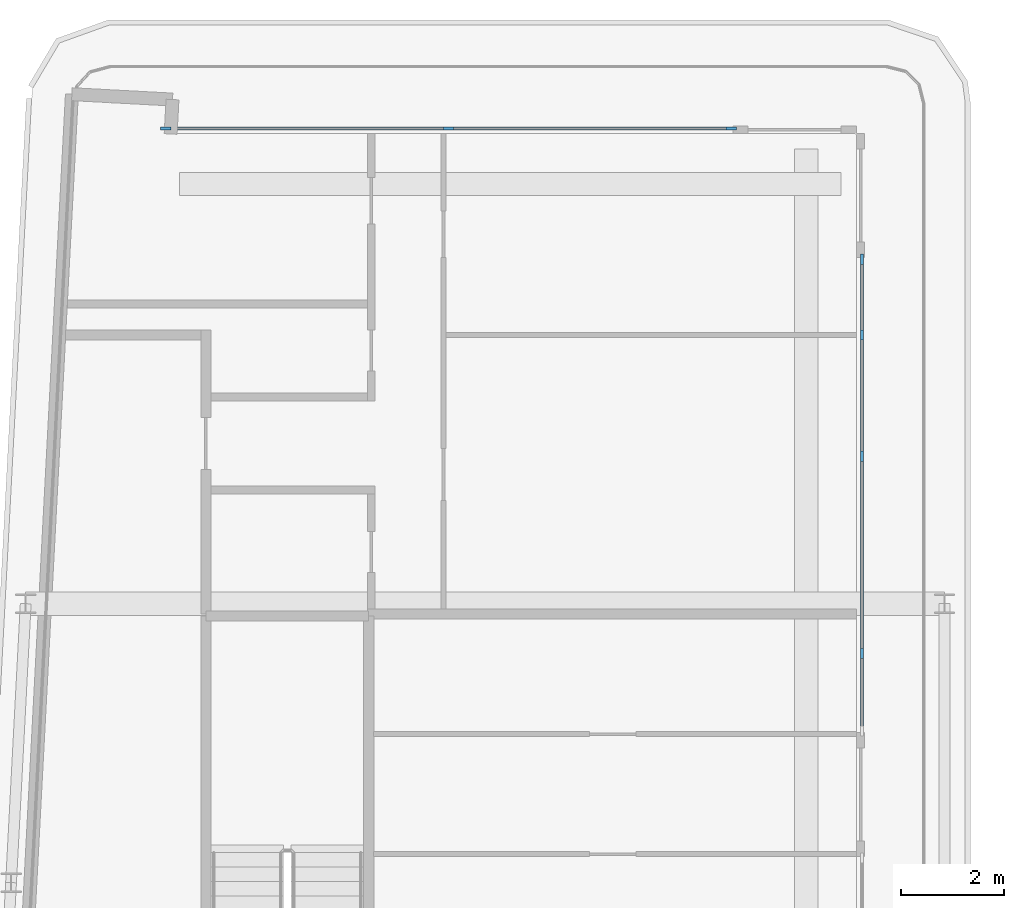
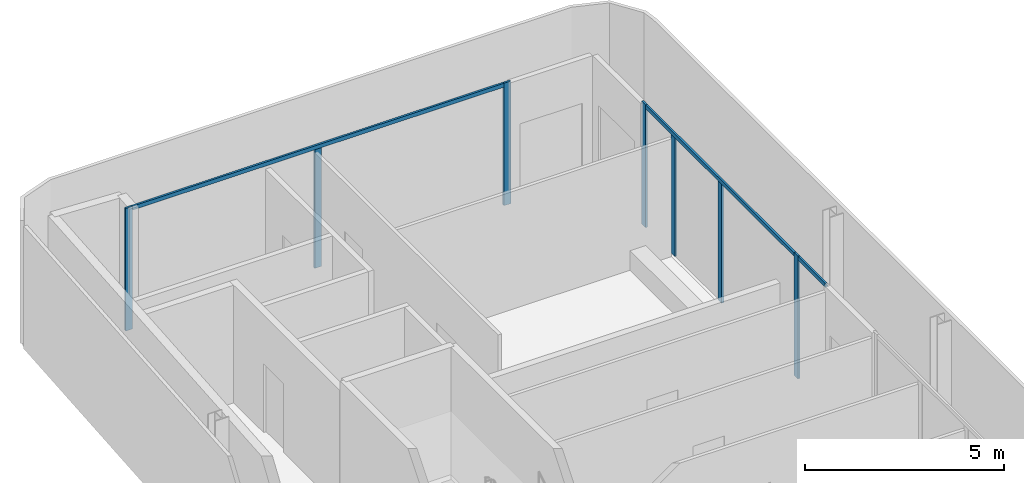
# One storey, part 8 of 22: 10 members, 3 elements without a shape of their own.
"""IFC4 building model written with IfcOpenShell, lengths in metres."""

import ifcopenshell
import ifcopenshell.guid

model = None  # the IFC model being written
_history = None  # IfcOwnerHistory: only IFC2X3 demands one
_inside = {}  # id of a spatial element -> (the spatial element, [elements in it])
_under = {}  # id of a project, library or spatial element -> (it, [spatial elements below it])
_declared = {}  # id of a project -> (the project, [libraries it declares])
_typed = {}  # id of a type object -> (the type object, [elements of that type])
_made_of = {}  # id of a material, layer set ... -> (it, [elements and type objects made of it])


def new_model(schema):
    """Start an empty IFC model of exactly this schema.

    Asked for "IFC4X3", IfcOpenShell would pick the latest addendum, in which some entities
    have other attributes; the version numbers below select the first issue.
    IFC2X3 requires an IfcOwnerHistory on every rooted entity: one is made here for all.
    """
    global model, _history
    if schema == "IFC4X3":
        model = ifcopenshell.file(schema_version=(4, 3, 0, 0))
    else:
        model = ifcopenshell.file(schema=schema)
    _inside.clear()
    _under.clear()
    _declared.clear()
    _typed.clear()
    _made_of.clear()
    _history = None
    if model.schema == "IFC2X3":
        org = make("IfcOrganization", Name="unknown")
        user = make(
            "IfcPersonAndOrganization",
            ThePerson=make("IfcPerson", FamilyName="unknown"),
            TheOrganization=org,
        )
        app = make(
            "IfcApplication",
            ApplicationDeveloper=org,
            Version="unknown",
            ApplicationFullName="unknown",
            ApplicationIdentifier="unknown",
        )
        _history = make(
            "IfcOwnerHistory",
            OwningUser=user,
            OwningApplication=app,
            ChangeAction="ADDED",
            CreationDate=0,
        )
    return model


def make(cls, **values):
    """One entity of the class cls with the attributes given. An attribute that is None is left unset."""
    return model.create_entity(
        cls, **{name: value for name, value in values.items() if value is not None}
    )


def rooted(cls, **values):
    """An entity with a GlobalId (a new one), such as an element, a storey or a relation."""
    return make(cls, GlobalId=ifcopenshell.guid.new(), OwnerHistory=_history, **values)


def si_unit(unit_type, name, prefix=None):
    """IfcSIUnit, for example si_unit("LENGTHUNIT", "METRE", prefix="MILLI")."""
    return make("IfcSIUnit", UnitType=unit_type, Prefix=prefix, Name=name)


def assignment(units):
    """IfcUnitAssignment: the units of a project."""
    return None if units is None else make("IfcUnitAssignment", Units=units)


def point(xyz):
    """IfcCartesianPoint."""
    return None if xyz is None else make("IfcCartesianPoint", Coordinates=xyz)


def direction(xyz):
    """IfcDirection."""
    return None if xyz is None else make("IfcDirection", DirectionRatios=xyz)


def frame(location, z_axis=None, x_axis=None):
    """IfcAxis2Placement3D, a coordinate frame: its origin and axes. An axis left out is left unset."""
    return make(
        "IfcAxis2Placement3D",
        Location=point(location),
        Axis=direction(z_axis),
        RefDirection=direction(x_axis),
    )


def frame_2d(location, x_axis=None):
    """IfcAxis2Placement2D, a coordinate frame in the plane: its origin and x axis."""
    return make(
        "IfcAxis2Placement2D", Location=point(location), RefDirection=direction(x_axis)
    )


def origin():
    """The frame at (0, 0, 0) with its axes left unset."""
    return frame((0.0, 0.0, 0.0))


def origin_2d():
    """The frame at (0, 0) in the plane with its x axis left unset."""
    return frame_2d((0.0, 0.0))


def place(relative_to, where):
    """IfcLocalPlacement: puts the frame where relative to a parent placement (None: the world)."""
    return make(
        "IfcLocalPlacement", PlacementRelTo=relative_to, RelativePlacement=where
    )


def context(
    kind, dimensions, precision=None, world=None, true_north=None, identifier=None
):
    """IfcGeometricRepresentationContext, for example the 3D "Model" context."""
    return make(
        "IfcGeometricRepresentationContext",
        ContextIdentifier=identifier,
        ContextType=kind,
        CoordinateSpaceDimension=dimensions,
        Precision=precision,
        WorldCoordinateSystem=world,
        TrueNorth=true_north,
    )


def subcontext(parent, identifier, kind, view, scale=None):
    """IfcGeometricRepresentationSubContext, for example "Body" below "Model"."""
    return make(
        "IfcGeometricRepresentationSubContext",
        ContextIdentifier=identifier,
        ContextType=kind,
        ParentContext=parent,
        TargetScale=scale,
        TargetView=view,
    )


def project(units=None, contexts=None):
    """IfcProject with its units and contexts."""
    return rooted(
        "IfcProject",
        Name="project",
        RepresentationContexts=contexts,
        UnitsInContext=assignment(units),
    )


def spatial(cls, under=None, at=None, **own):
    """A site, building, storey or space (cls), placed at a placement, below another one or the project."""
    s = rooted(cls, ObjectPlacement=at, **own)
    if under is not None:
        _under.setdefault(under.id(), (under, []))[1].append(s)
    return s


def profile(cls, at=None, kind="AREA", **sizes):
    """A parametric profile (cls). Its sizes go by their IFC names, for example OverallWidth=200.0."""
    return make(cls, ProfileType=kind, Position=at, **sizes)


def rectangle(**sizes):
    """IfcRectangleProfileDef."""
    return profile("IfcRectangleProfileDef", **sizes)


def extrude(swept, where, along, depth):
    """IfcExtrudedAreaSolid: the profile swept, set in the frame where, extruded along a direction by depth."""
    return make(
        "IfcExtrudedAreaSolid",
        SweptArea=swept,
        Position=where,
        ExtrudedDirection=direction(along),
        Depth=depth,
    )


def shape(context_of_items, identifier, shape_type, items):
    """IfcShapeRepresentation: the items that make up one representation, for example the "Body"."""
    return make(
        "IfcShapeRepresentation",
        ContextOfItems=context_of_items,
        RepresentationIdentifier=identifier,
        RepresentationType=shape_type,
        Items=items,
    )


def material(Name=None, Category=None):
    """IfcMaterial."""
    return make("IfcMaterial", Name=Name, Category=Category)


def layer(
    of_material, thickness, ventilated=None, Name=None, Category=None, Priority=None
):
    """IfcMaterialLayer: one layer of a wall or slab, of a material (None: an air gap)."""
    return make(
        "IfcMaterialLayer",
        Material=of_material,
        LayerThickness=thickness,
        IsVentilated=ventilated,
        Name=Name,
        Category=Category,
        Priority=Priority,
    )


def layer_set(layers, Name=None):
    """IfcMaterialLayerSet."""
    return make("IfcMaterialLayerSet", MaterialLayers=layers, LayerSetName=Name)


def material_profile(
    of_material, cross_section, Name=None, Category=None, Priority=None
):
    """IfcMaterialProfile: a cross section and its material."""
    return make(
        "IfcMaterialProfile",
        Name=Name,
        Material=of_material,
        Profile=cross_section,
        Priority=Priority,
        Category=Category,
    )


def profile_set(profiles, Name=None, composite=None):
    """IfcMaterialProfileSet."""
    return make(
        "IfcMaterialProfileSet",
        Name=Name,
        MaterialProfiles=profiles,
        CompositeProfile=composite,
    )


def made_of(thing, what):
    """Note that an element or type object is made of a material, layer set ...; save() writes the relation."""
    if what is not None:
        _made_of.setdefault(what.id(), (what, []))[1].append(thing)
    return thing


def type_object(cls, material=None, **own):
    """A type object (cls), such as IfcWallType, which elements share."""
    return made_of(rooted(cls, **own), material)


def element(
    cls,
    number,
    at=None,
    inside=None,
    cuts=None,
    type_object=None,
    material=None,
    context=None,
    identifier="Body",
    shape_type=None,
    held_by="IfcProductDefinitionShape",
    body=None,
    shapes=None,
    **own,
):
    """One element of the class cls, such as IfcWall. Its Tag is "e" and its number.

    at: its placement. inside: the storey or other place that contains it. cuts: it is an
    opening in that element (IfcRelVoidsElement). A single representation is given by context,
    identifier, shape_type and body (its items); several are given by shapes. held_by: the class
    of the entity that holds the representations. save() writes the other relations.
    """
    e = rooted(cls, Tag="e%d" % number, ObjectPlacement=at, **own)
    if body is not None:
        shapes = [shape(context, identifier, shape_type, body)]
    if shapes is not None:
        e.Representation = make(held_by, Representations=shapes)
    if inside is not None:
        _inside.setdefault(inside.id(), (inside, []))[1].append(e)
    if cuts is not None:
        rooted(
            "IfcRelVoidsElement", RelatingBuildingElement=cuts, RelatedOpeningElement=e
        )
    if type_object is not None:
        _typed.setdefault(type_object.id(), (type_object, []))[1].append(e)
    return made_of(e, material)


def aggregate(whole, parts):
    """IfcRelAggregates: a whole, such as a stair, and the parts it consists of."""
    return rooted("IfcRelAggregates", RelatingObject=whole, RelatedObjects=parts)


def save(model, path):
    """Write the relations noted so far, then the file.

    IfcRelAggregates (storeys below a building ...), IfcRelContainedInSpatialStructure (elements
    in a storey), IfcRelDefinesByType, IfcRelAssociatesMaterial and IfcRelDeclares: one each for
    every whole, place, type object, material and project.
    """
    for whole, parts in _under.values():
        aggregate(whole, parts)
    for where, things in _inside.values():
        rooted(
            "IfcRelContainedInSpatialStructure",
            RelatedElements=things,
            RelatingStructure=where,
        )
    for kind, things in _typed.values():
        rooted("IfcRelDefinesByType", RelatedObjects=things, RelatingType=kind)
    for what, things in _made_of.values():
        rooted("IfcRelAssociatesMaterial", RelatedObjects=things, RelatingMaterial=what)
    for by, libraries in _declared.values():
        rooted("IfcRelDeclares", RelatingContext=by, RelatedDefinitions=libraries)
    model.write(path)


model = new_model("IFC4")

# Units and contexts
model_context = context("Model", 3, precision=1e-05, world=origin(), true_north=direction((0.0, 1.0)))
body_context = subcontext(model_context, "Body", "Model", "MODEL_VIEW")
ifc_project = project(units=[si_unit("LENGTHUNIT", "METRE"), si_unit("AREAUNIT", "SQUARE_METRE"), si_unit("VOLUMEUNIT", "CUBIC_METRE"), si_unit("PLANEANGLEUNIT", "RADIAN"), si_unit("MASSUNIT", "GRAM", prefix="KILO")], contexts=[model_context])

# Site, building, storey
site_placement = place(None, origin())
site = spatial("IfcSite", under=ifc_project, at=site_placement, CompositionType="ELEMENT")
building_placement = place(site_placement, origin())
building = spatial("IfcBuilding", under=site, at=building_placement, Name="Kheshtan School and Residences Tower", CompositionType="ELEMENT")
storey_placement = place(building_placement, frame((0.0, 0.0, 274.699951171875)))
storey = spatial("IfcBuildingStorey", under=building, at=storey_placement, Name="L64", CompositionType="ELEMENT", Elevation=274.699951171875)

# Curtain wall, members
ifc_material_1 = material(Name="Clear low-e glass in thermally broken aluminium frame", Category="aluminium")
ifc_layer = layer(ifc_material_1, 0.199951171875)
ifc_layer_set = layer_set([ifc_layer], Name="Curtain wall CW-L")
curtain_wall_type = type_object("IfcCurtainWallType", Name="Curtain wall CW-L", PredefinedType="NOTDEFINED", material=ifc_layer_set)
curtain_wall_1_placement = place(storey_placement, origin())
curtain_wall_1 = element("IfcCurtainWall", 1, at=curtain_wall_1_placement, inside=storey, type_object=curtain_wall_type, Name="Curtain wall CWL7", PredefinedType="NOTDEFINED")
ifc_material_2 = material(Name="Thermally broken aluminium, dark bronze anodised", Category="aluminium")
ifc_material_profile_1 = material_profile(ifc_material_2, rectangle(XDim=0.06005859375, YDim=0.199951171875, at=origin_2d()), Name="CW-L mullion 60x200")
ifc_profile_set_1 = profile_set([ifc_material_profile_1], Name="Thermally broken aluminium, dark bronze anodised")
member_type_1 = type_object("IfcMemberType", Name="CW-L mullion 60x200", PredefinedType="MULLION", material=ifc_profile_set_1)
member_1_placement = place(storey_placement, frame((32.52197265625, 98.0, 0.0), z_axis=(0.0, 0.0, 1.0), x_axis=(0.0, 1.0, 0.0)))
member_1 = element("IfcMember", 2, at=member_1_placement, type_object=member_type_1, Name="CWL7 mullion 1", PredefinedType="MULLION", context=body_context, shape_type="SweptSolid", body=[
    extrude(rectangle(XDim=0.06005859375, YDim=0.199951171875, at=origin_2d()), origin(), (0.0, 0.0, 1.0), 3.75),
])
member_2_placement = place(storey_placement, frame((37.99609375, 98.0, 0.0), z_axis=(0.0, 0.0, 1.0), x_axis=(0.0, 1.0, 0.0)))
member_2 = element("IfcMember", 3, at=member_2_placement, type_object=member_type_1, Name="CWL7 mullion 2", PredefinedType="MULLION", context=body_context, shape_type="SweptSolid", body=[
    extrude(rectangle(XDim=0.06005859375, YDim=0.199951171875, at=origin_2d()), origin(), (0.0, 0.0, 1.0), 3.630126953125),
])
member_3_placement = place(storey_placement, frame((43.469970703125, 98.0, 0.0), z_axis=(0.0, 0.0, 1.0), x_axis=(0.0, 1.0, 0.0)))
member_3 = element("IfcMember", 4, at=member_3_placement, type_object=member_type_1, Name="CWL7 mullion 3", PredefinedType="MULLION", context=body_context, shape_type="SweptSolid", body=[
    extrude(rectangle(XDim=0.06005859375, YDim=0.199951171875, at=origin_2d()), origin(), (0.0, 0.0, 1.0), 3.75),
])

curtain_wall_2_placement = place(storey_placement, origin())
curtain_wall_2 = element("IfcCurtainWall", 5, at=curtain_wall_2_placement, inside=storey, type_object=curtain_wall_type, Name="Curtain wall CWL8c", PredefinedType="NOTDEFINED")
member_4_placement = place(storey_placement, frame((46.0, 95.469970703125, 0.0), z_axis=(0.0, 0.0, 1.0), x_axis=(1.0, 0.0, 0.0)))
member_4 = element("IfcMember", 6, at=member_4_placement, type_object=member_type_1, Name="CWL8c mullion 1", PredefinedType="MULLION", context=body_context, shape_type="SweptSolid", body=[
    extrude(rectangle(XDim=0.06005859375, YDim=0.199951171875, at=origin_2d()), origin(), (0.0, 0.0, 1.0), 3.75),
])
member_5_placement = place(storey_placement, frame((46.0, 94.0, 0.0), z_axis=(0.0, 0.0, 1.0), x_axis=(1.0, 0.0, 0.0)))
member_5 = element("IfcMember", 7, at=member_5_placement, type_object=member_type_1, Name="CWL8c mullion 2", PredefinedType="MULLION", context=body_context, shape_type="SweptSolid", body=[
    extrude(rectangle(XDim=0.06005859375, YDim=0.199951171875, at=origin_2d()), origin(), (0.0, 0.0, 1.0), 3.630126953125),
])
member_6_placement = place(storey_placement, frame((46.0, 91.653076171875, 0.0), z_axis=(0.0, 0.0, 1.0), x_axis=(1.0, 0.0, 0.0)))
member_6 = element("IfcMember", 8, at=member_6_placement, type_object=member_type_1, Name="CWL8c mullion 3", PredefinedType="MULLION", context=body_context, shape_type="SweptSolid", body=[
    extrude(rectangle(XDim=0.06005859375, YDim=0.199951171875, at=origin_2d()), origin(), (0.0, 0.0, 1.0), 3.630126953125),
])
member_7_placement = place(storey_placement, frame((46.0, 87.8359375, 0.0), z_axis=(0.0, 0.0, 1.0), x_axis=(1.0, 0.0, 0.0)))
member_7 = element("IfcMember", 9, at=member_7_placement, type_object=member_type_1, Name="CWL8c mullion 4", PredefinedType="MULLION", context=body_context, shape_type="SweptSolid", body=[
    extrude(rectangle(XDim=0.06005859375, YDim=0.199951171875, at=origin_2d()), origin(), (0.0, 0.0, 1.0), 3.75),
])

# Member
ifc_material_profile_2 = material_profile(ifc_material_2, rectangle(XDim=0.06005859375, YDim=0.1201171875, at=origin_2d()), Name="CW-L transom 60x120")
ifc_profile_set_2 = profile_set([ifc_material_profile_2], Name="Thermally broken aluminium, dark bronze anodised")
member_type_2 = type_object("IfcMemberType", Name="CW-L transom 60x120", PredefinedType="USERDEFINED", material=ifc_profile_set_2)
member_8_placement = place(storey_placement, frame((32.552001953125, 98.0, 3.68994140625), z_axis=(1.0, 0.0, 0.0), x_axis=(0.0, 1.0, 0.0)))
member_8 = element("IfcMember", 10, at=member_8_placement, type_object=member_type_2, Name="CWL7 transom 1", ObjectType="TRANSOM", PredefinedType="USERDEFINED", context=body_context, shape_type="SweptSolid", body=[
    extrude(rectangle(XDim=0.06005859375, YDim=0.1201171875, at=origin_2d()), origin(), (0.0, 0.0, 1.0), 10.887939453125),
])

aggregate(curtain_wall_1, [member_1, member_2, member_3, member_8])

member_9_placement = place(storey_placement, frame((46.0, 95.43994140625, 3.68994140625), z_axis=(0.0, -1.0, 0.0), x_axis=(1.0, 0.0, 0.0)))
member_9 = element("IfcMember", 11, at=member_9_placement, type_object=member_type_2, Name="CWL8c transom 1", ObjectType="TRANSOM", PredefinedType="USERDEFINED", context=body_context, shape_type="SweptSolid", body=[
    extrude(rectangle(XDim=0.06005859375, YDim=0.1201171875, at=origin_2d()), origin(), (0.0, 0.0, 1.0), 7.573974609375),
])

aggregate(curtain_wall_2, [member_4, member_5, member_6, member_7, member_9])

# Curtain wall, member
curtain_wall_3_placement = place(storey_placement, origin())
curtain_wall_3 = element("IfcCurtainWall", 12, at=curtain_wall_3_placement, inside=storey, type_object=curtain_wall_type, Name="Curtain wall CWL8a", PredefinedType="NOTDEFINED")
member_10_placement = place(storey_placement, frame((46.0, 87.805908203125, 3.68994140625), z_axis=(0.0, -1.0, 0.0), x_axis=(1.0, 0.0, 0.0)))
member_10 = element("IfcMember", 13, at=member_10_placement, type_object=member_type_2, Name="CWL8a transom 1", ObjectType="TRANSOM", PredefinedType="USERDEFINED", context=body_context, shape_type="SweptSolid", body=[
    extrude(rectangle(XDim=0.06005859375, YDim=0.1201171875, at=origin_2d()), origin(), (0.0, 0.0, 1.0), 1.43994140625),
])
aggregate(curtain_wall_3, [member_10])

save(model, "model.ifc")
